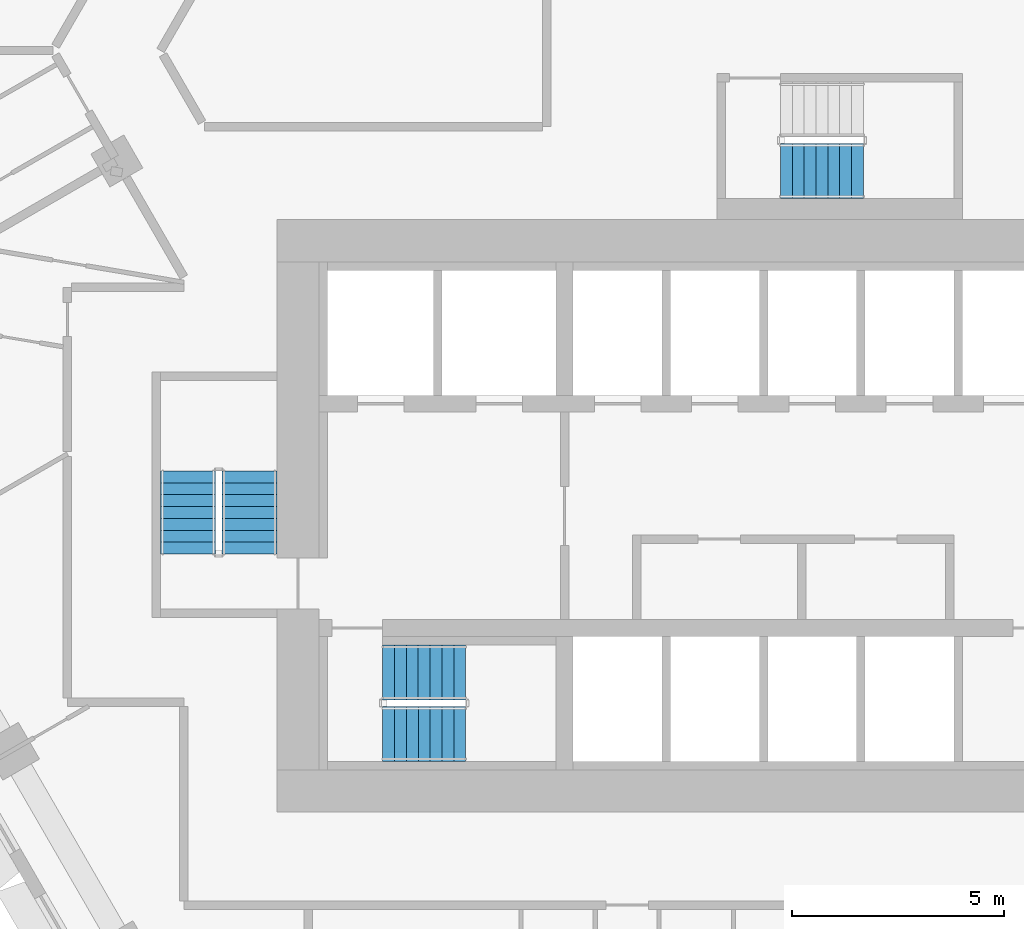
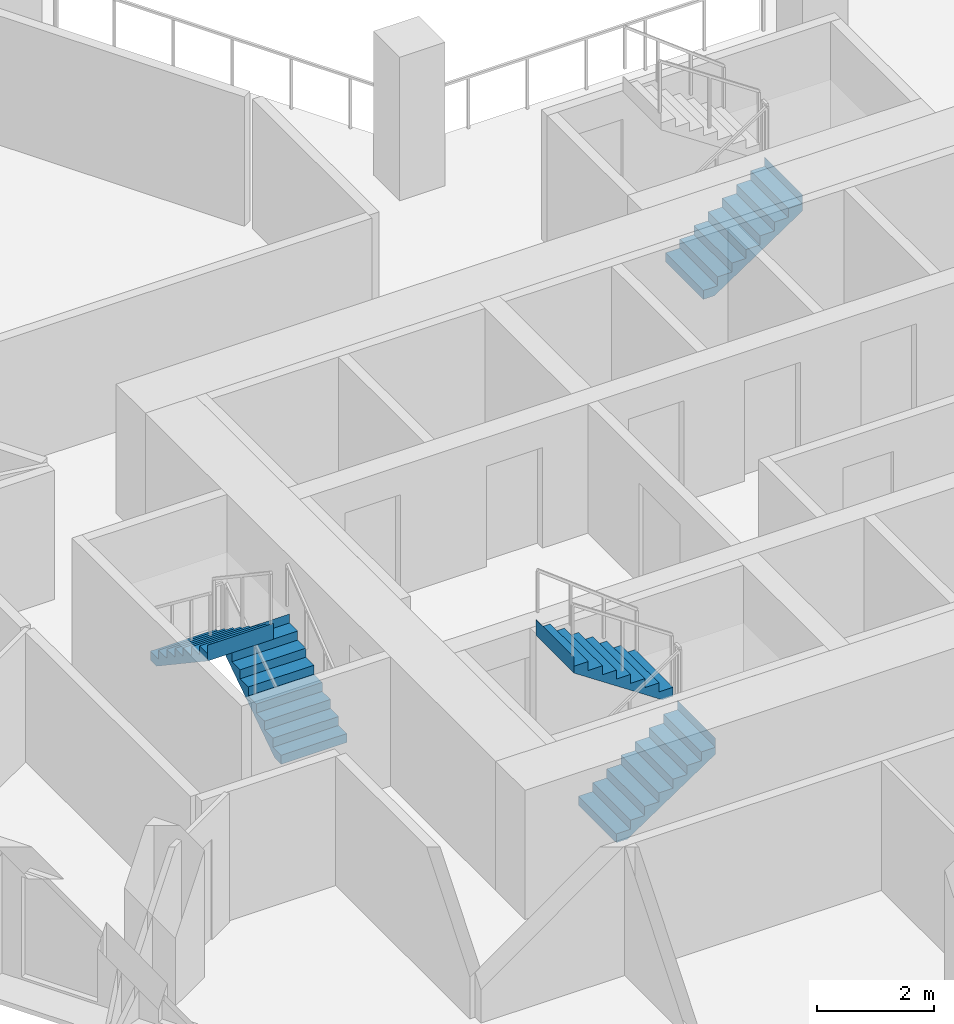
# One storey, part 13 of 18: 5 stair flights, 3 elements without a shape of their own.
"""IFC4 building model written with IfcOpenShell, lengths in metres."""

from ifc_helpers import new_model, si_unit, direction, frame, origin, place, context, subcontext, project, spatial, triangles, material, type_object, element, aggregate, save


model = new_model("IFC4")

# Units and contexts
model_context = context("Model", 3, precision=1e-05, world=origin(), true_north=direction((0.0, 1.0)))
body_context = subcontext(model_context, "Body", "Model", "MODEL_VIEW")
ifc_project = project(units=[si_unit("LENGTHUNIT", "METRE"), si_unit("AREAUNIT", "SQUARE_METRE"), si_unit("VOLUMEUNIT", "CUBIC_METRE"), si_unit("PLANEANGLEUNIT", "RADIAN"), si_unit("MASSUNIT", "GRAM", prefix="KILO")], contexts=[model_context])

# Site, building, storey
site_placement = place(None, origin())
site = spatial("IfcSite", under=ifc_project, at=site_placement, CompositionType="ELEMENT")
building_placement = place(site_placement, origin())
building = spatial("IfcBuilding", under=site, at=building_placement, Name="Beryl Residences", CompositionType="ELEMENT")
storey_placement = place(building_placement, frame((0.0, 0.0, 99.0)))
storey = spatial("IfcBuildingStorey", under=building, at=storey_placement, Name="L30", CompositionType="ELEMENT", Elevation=99.0)

# Stair, stair flights
ifc_material_1 = material(Name="Concrete C40/50", Category="concrete")
stair_type = type_object("IfcStairType", Name="ST1 protected exit stair, half-turn, 1300 mm flights", PredefinedType="HALF_TURN_STAIR", material=ifc_material_1)
stair_1_placement = place(storey_placement, origin())
stair_1 = element("IfcStair", 1, at=stair_1_placement, inside=storey, type_object=stair_type, Name="L30 PROTECTED EXIT STAIR ST-1", PredefinedType="HALF_TURN_STAIR")
ifc_material_2 = material(Name="Concrete C40/50", Category="concrete")
stair_flight_type = type_object("IfcStairFlightType", Name="SF1 stair flight 1300 mm", PredefinedType="STRAIGHT", material=ifc_material_2)
stair_flight_1_placement = place(storey_placement, frame((-10.800048828125, -17.14990234375, 0.0), z_axis=(0.0, 0.0, 1.0), x_axis=(1.0, 0.0, 0.0)))
stair_flight_1 = element("IfcStairFlight", 2, at=stair_flight_1_placement, type_object=stair_flight_type, Name="ST-1 flight 1", NumberOfRisers=8, NumberOfTreads=7, PredefinedType="STRAIGHT", RiserHeight=0.1875, TreadLength=0.28, context=body_context, shape_type="Tessellation", body=[
    triangles([(0.0, -0.64990234375, 0.0), (0.0, -0.324951171875, 0.0), (0.0, 0.0, 0.0), (0.0, 0.324951171875, 0.0), (0.0, 0.64990234375, 0.0), (0.0, -0.64990234375, 0.1875), (0.0, -0.324951171875, 0.1875), (0.0, 0.0, 0.1875), (0.0, 0.324951171875, 0.1875), (0.0, 0.64990234375, 0.1875), (0.280029296875, -0.64990234375, 0.1875), (0.280029296875, -0.324951171875, 0.1875), (0.280029296875, 0.0, 0.1875), (0.280029296875, 0.324951171875, 0.1875), (0.280029296875, 0.64990234375, 0.1875), (0.280029296875, -0.64990234375, 0.375), (0.280029296875, -0.324951171875, 0.375), (0.280029296875, 0.0, 0.375), (0.280029296875, 0.324951171875, 0.375), (0.280029296875, 0.64990234375, 0.375), (0.56005859375, -0.64990234375, 0.375), (0.56005859375, -0.324951171875, 0.375), (0.56005859375, 0.0, 0.375), (0.56005859375, 0.324951171875, 0.375), (0.56005859375, 0.64990234375, 0.375), (0.56005859375, -0.64990234375, 0.5625), (0.56005859375, -0.324951171875, 0.5625), (0.56005859375, 0.0, 0.5625), (0.56005859375, 0.324951171875, 0.5625), (0.56005859375, 0.64990234375, 0.5625), (0.840087890625, -0.64990234375, 0.5625), (0.840087890625, -0.324951171875, 0.5625), (0.840087890625, 0.0, 0.5625), (0.840087890625, 0.324951171875, 0.5625), (0.840087890625, 0.64990234375, 0.5625), (0.840087890625, -0.64990234375, 0.75), (0.840087890625, -0.324951171875, 0.75), (0.840087890625, 0.0, 0.75), (0.840087890625, 0.324951171875, 0.75), (0.840087890625, 0.64990234375, 0.75), (1.1201171875, -0.64990234375, 0.75), (1.1201171875, -0.324951171875, 0.75), (1.1201171875, 0.0, 0.75), (1.1201171875, 0.324951171875, 0.75), (1.1201171875, 0.64990234375, 0.75), (1.1201171875, -0.64990234375, 0.9375), (1.1201171875, -0.324951171875, 0.9375), (1.1201171875, 0.0, 0.9375), (1.1201171875, 0.324951171875, 0.9375), (1.1201171875, 0.64990234375, 0.9375), (1.39990234375, -0.64990234375, 0.9375), (1.39990234375, -0.324951171875, 0.9375), (1.39990234375, 0.0, 0.9375), (1.39990234375, 0.324951171875, 0.9375), (1.39990234375, 0.64990234375, 0.9375), (1.39990234375, -0.64990234375, 1.125), (1.39990234375, -0.324951171875, 1.125), (1.39990234375, 0.0, 1.125), (1.39990234375, 0.324951171875, 1.125), (1.39990234375, 0.64990234375, 1.125), (1.679931640625, -0.64990234375, 1.125), (1.679931640625, -0.324951171875, 1.125), (1.679931640625, 0.0, 1.125), (1.679931640625, 0.324951171875, 1.125), (1.679931640625, 0.64990234375, 1.125), (1.679931640625, -0.64990234375, 1.3125), (1.679931640625, -0.324951171875, 1.3125), (1.679931640625, 0.0, 1.3125), (1.679931640625, 0.324951171875, 1.3125), (1.679931640625, 0.64990234375, 1.3125), (1.9599609375, -0.64990234375, 1.3125), (1.9599609375, -0.324951171875, 1.3125), (1.9599609375, 0.0, 1.3125), (1.9599609375, 0.324951171875, 1.3125), (1.9599609375, 0.64990234375, 1.3125), (1.9599609375, -0.64990234375, 1.5), (1.9599609375, -0.324951171875, 1.5), (1.9599609375, 0.0, 1.5), (1.9599609375, 0.324951171875, 1.5), (1.9599609375, 0.64990234375, 1.5), (1.9609375, -0.64990234375, 1.5), (1.9609375, -0.324951171875, 1.5), (1.9609375, 0.0, 1.5), (1.9609375, 0.324951171875, 1.5), (1.9609375, 0.64990234375, 1.5), (1.9609375, -0.64990234375, 1.16796875), (1.9609375, -0.324951171875, 1.16796875), (1.9609375, 0.0, 1.16796875), (1.9609375, 0.324951171875, 1.16796875), (1.9609375, 0.64990234375, 1.16796875), (0.216796875, -0.64990234375, 0.0), (0.216796875, -0.324951171875, 0.0), (0.216796875, 0.0, 0.0), (0.216796875, 0.324951171875, 0.0), (0.216796875, 0.64990234375, 0.0)], [[1, 6, 7], [1, 7, 2], [2, 7, 8], [2, 8, 3], [3, 8, 9], [3, 9, 4], [4, 9, 10], [4, 10, 5], [6, 11, 12], [6, 12, 7], [7, 12, 13], [7, 13, 8], [8, 13, 14], [8, 14, 9], [9, 14, 15], [9, 15, 10], [11, 16, 17], [11, 17, 12], [12, 17, 18], [12, 18, 13], [13, 18, 19], [13, 19, 14], [14, 19, 20], [14, 20, 15], [16, 21, 22], [16, 22, 17], [17, 22, 23], [17, 23, 18], [18, 23, 24], [18, 24, 19], [19, 24, 25], [19, 25, 20], [21, 26, 27], [21, 27, 22], [22, 27, 28], [22, 28, 23], [23, 28, 29], [23, 29, 24], [24, 29, 30], [24, 30, 25], [26, 31, 32], [26, 32, 27], [27, 32, 33], [27, 33, 28], [28, 33, 34], [28, 34, 29], [29, 34, 35], [29, 35, 30], [31, 36, 37], [31, 37, 32], [32, 37, 38], [32, 38, 33], [33, 38, 39], [33, 39, 34], [34, 39, 40], [34, 40, 35], [36, 41, 42], [36, 42, 37], [37, 42, 43], [37, 43, 38], [38, 43, 44], [38, 44, 39], [39, 44, 45], [39, 45, 40], [41, 46, 47], [41, 47, 42], [42, 47, 48], [42, 48, 43], [43, 48, 49], [43, 49, 44], [44, 49, 50], [44, 50, 45], [46, 51, 52], [46, 52, 47], [47, 52, 53], [47, 53, 48], [48, 53, 54], [48, 54, 49], [49, 54, 55], [49, 55, 50], [51, 56, 57], [51, 57, 52], [52, 57, 58], [52, 58, 53], [53, 58, 59], [53, 59, 54], [54, 59, 60], [54, 60, 55], [56, 61, 62], [56, 62, 57], [57, 62, 63], [57, 63, 58], [58, 63, 64], [58, 64, 59], [59, 64, 65], [59, 65, 60], [61, 66, 67], [61, 67, 62], [62, 67, 68], [62, 68, 63], [63, 68, 69], [63, 69, 64], [64, 69, 70], [64, 70, 65], [66, 71, 72], [66, 72, 67], [67, 72, 73], [67, 73, 68], [68, 73, 74], [68, 74, 69], [69, 74, 75], [69, 75, 70], [71, 76, 77], [71, 77, 72], [72, 77, 78], [72, 78, 73], [73, 78, 79], [73, 79, 74], [74, 79, 80], [74, 80, 75], [76, 81, 82], [76, 82, 77], [77, 82, 83], [77, 83, 78], [78, 83, 84], [78, 84, 79], [79, 84, 85], [79, 85, 80], [81, 86, 87], [81, 87, 82], [82, 87, 88], [82, 88, 83], [83, 88, 89], [83, 89, 84], [84, 89, 90], [84, 90, 85], [86, 91, 92], [86, 92, 87], [87, 92, 93], [87, 93, 88], [88, 93, 94], [88, 94, 89], [89, 94, 95], [89, 95, 90], [91, 1, 2], [91, 2, 92], [92, 2, 3], [92, 3, 93], [93, 3, 4], [93, 4, 94], [94, 4, 5], [94, 5, 95], [1, 91, 86], [5, 90, 95], [86, 81, 76], [90, 80, 85], [86, 76, 71], [90, 75, 80], [86, 71, 66], [90, 70, 75], [86, 66, 61], [90, 65, 70], [61, 56, 51], [65, 55, 60], [86, 61, 51], [90, 55, 65], [51, 46, 41], [55, 45, 50], [86, 51, 41], [90, 45, 55], [41, 36, 31], [45, 35, 40], [86, 41, 31], [90, 35, 45], [31, 26, 21], [35, 25, 30], [86, 31, 21], [90, 25, 35], [21, 16, 11], [25, 15, 20], [86, 21, 11], [90, 15, 25], [1, 86, 11], [5, 15, 90], [11, 6, 1], [15, 5, 10]], closed=True),
])
stair_flight_2_placement = place(storey_placement, frame((-8.840087890625, -15.699951171875, 1.5), z_axis=(0.0, 0.0, 1.0), x_axis=(-1.0, 0.0, 0.0)))
stair_flight_2 = element("IfcStairFlight", 3, at=stair_flight_2_placement, type_object=stair_flight_type, Name="ST-1 flight 2", NumberOfRisers=8, NumberOfTreads=7, PredefinedType="STRAIGHT", RiserHeight=0.1875, TreadLength=0.28, context=body_context, shape_type="Tessellation", body=[
    triangles([(0.0, -0.64990234375, 0.0), (0.0, -0.324951171875, 0.0), (0.0, 0.0, 0.0), (0.0, 0.324951171875, 0.0), (0.0, 0.64990234375, 0.0), (0.0, -0.64990234375, 0.1875), (0.0, -0.324951171875, 0.1875), (0.0, 0.0, 0.1875), (0.0, 0.324951171875, 0.1875), (0.0, 0.64990234375, 0.1875), (0.280029296875, -0.64990234375, 0.1875), (0.280029296875, -0.324951171875, 0.1875), (0.280029296875, 0.0, 0.1875), (0.280029296875, 0.324951171875, 0.1875), (0.280029296875, 0.64990234375, 0.1875), (0.280029296875, -0.64990234375, 0.375), (0.280029296875, -0.324951171875, 0.375), (0.280029296875, 0.0, 0.375), (0.280029296875, 0.324951171875, 0.375), (0.280029296875, 0.64990234375, 0.375), (0.56005859375, -0.64990234375, 0.375), (0.56005859375, -0.324951171875, 0.375), (0.56005859375, 0.0, 0.375), (0.56005859375, 0.324951171875, 0.375), (0.56005859375, 0.64990234375, 0.375), (0.56005859375, -0.64990234375, 0.5625), (0.56005859375, -0.324951171875, 0.5625), (0.56005859375, 0.0, 0.5625), (0.56005859375, 0.324951171875, 0.5625), (0.56005859375, 0.64990234375, 0.5625), (0.840087890625, -0.64990234375, 0.5625), (0.840087890625, -0.324951171875, 0.5625), (0.840087890625, 0.0, 0.5625), (0.840087890625, 0.324951171875, 0.5625), (0.840087890625, 0.64990234375, 0.5625), (0.840087890625, -0.64990234375, 0.75), (0.840087890625, -0.324951171875, 0.75), (0.840087890625, 0.0, 0.75), (0.840087890625, 0.324951171875, 0.75), (0.840087890625, 0.64990234375, 0.75), (1.1201171875, -0.64990234375, 0.75), (1.1201171875, -0.324951171875, 0.75), (1.1201171875, 0.0, 0.75), (1.1201171875, 0.324951171875, 0.75), (1.1201171875, 0.64990234375, 0.75), (1.1201171875, -0.64990234375, 0.9375), (1.1201171875, -0.324951171875, 0.9375), (1.1201171875, 0.0, 0.9375), (1.1201171875, 0.324951171875, 0.9375), (1.1201171875, 0.64990234375, 0.9375), (1.39990234375, -0.64990234375, 0.9375), (1.39990234375, -0.324951171875, 0.9375), (1.39990234375, 0.0, 0.9375), (1.39990234375, 0.324951171875, 0.9375), (1.39990234375, 0.64990234375, 0.9375), (1.39990234375, -0.64990234375, 1.125), (1.39990234375, -0.324951171875, 1.125), (1.39990234375, 0.0, 1.125), (1.39990234375, 0.324951171875, 1.125), (1.39990234375, 0.64990234375, 1.125), (1.679931640625, -0.64990234375, 1.125), (1.679931640625, -0.324951171875, 1.125), (1.679931640625, 0.0, 1.125), (1.679931640625, 0.324951171875, 1.125), (1.679931640625, 0.64990234375, 1.125), (1.679931640625, -0.64990234375, 1.3125), (1.679931640625, -0.324951171875, 1.3125), (1.679931640625, 0.0, 1.3125), (1.679931640625, 0.324951171875, 1.3125), (1.679931640625, 0.64990234375, 1.3125), (1.9599609375, -0.64990234375, 1.3125), (1.9599609375, -0.324951171875, 1.3125), (1.9599609375, 0.0, 1.3125), (1.9599609375, 0.324951171875, 1.3125), (1.9599609375, 0.64990234375, 1.3125), (1.9599609375, -0.64990234375, 1.5), (1.9599609375, -0.324951171875, 1.5), (1.9599609375, 0.0, 1.5), (1.9599609375, 0.324951171875, 1.5), (1.9599609375, 0.64990234375, 1.5), (1.9609375, -0.64990234375, 1.5), (1.9609375, -0.324951171875, 1.5), (1.9609375, 0.0, 1.5), (1.9609375, 0.324951171875, 1.5), (1.9609375, 0.64990234375, 1.5), (1.9609375, -0.64990234375, 1.16796875), (1.9609375, -0.324951171875, 1.16796875), (1.9609375, 0.0, 1.16796875), (1.9609375, 0.324951171875, 1.16796875), (1.9609375, 0.64990234375, 1.16796875), (0.216796875, -0.64990234375, 0.0), (0.216796875, -0.324951171875, 0.0), (0.216796875, 0.0, 0.0), (0.216796875, 0.324951171875, 0.0), (0.216796875, 0.64990234375, 0.0)], [[1, 6, 7], [1, 7, 2], [2, 7, 8], [2, 8, 3], [3, 8, 9], [3, 9, 4], [4, 9, 10], [4, 10, 5], [6, 11, 12], [6, 12, 7], [7, 12, 13], [7, 13, 8], [8, 13, 14], [8, 14, 9], [9, 14, 15], [9, 15, 10], [11, 16, 17], [11, 17, 12], [12, 17, 18], [12, 18, 13], [13, 18, 19], [13, 19, 14], [14, 19, 20], [14, 20, 15], [16, 21, 22], [16, 22, 17], [17, 22, 23], [17, 23, 18], [18, 23, 24], [18, 24, 19], [19, 24, 25], [19, 25, 20], [21, 26, 27], [21, 27, 22], [22, 27, 28], [22, 28, 23], [23, 28, 29], [23, 29, 24], [24, 29, 30], [24, 30, 25], [26, 31, 32], [26, 32, 27], [27, 32, 33], [27, 33, 28], [28, 33, 34], [28, 34, 29], [29, 34, 35], [29, 35, 30], [31, 36, 37], [31, 37, 32], [32, 37, 38], [32, 38, 33], [33, 38, 39], [33, 39, 34], [34, 39, 40], [34, 40, 35], [36, 41, 42], [36, 42, 37], [37, 42, 43], [37, 43, 38], [38, 43, 44], [38, 44, 39], [39, 44, 45], [39, 45, 40], [41, 46, 47], [41, 47, 42], [42, 47, 48], [42, 48, 43], [43, 48, 49], [43, 49, 44], [44, 49, 50], [44, 50, 45], [46, 51, 52], [46, 52, 47], [47, 52, 53], [47, 53, 48], [48, 53, 54], [48, 54, 49], [49, 54, 55], [49, 55, 50], [51, 56, 57], [51, 57, 52], [52, 57, 58], [52, 58, 53], [53, 58, 59], [53, 59, 54], [54, 59, 60], [54, 60, 55], [56, 61, 62], [56, 62, 57], [57, 62, 63], [57, 63, 58], [58, 63, 64], [58, 64, 59], [59, 64, 65], [59, 65, 60], [61, 66, 67], [61, 67, 62], [62, 67, 68], [62, 68, 63], [63, 68, 69], [63, 69, 64], [64, 69, 70], [64, 70, 65], [66, 71, 72], [66, 72, 67], [67, 72, 73], [67, 73, 68], [68, 73, 74], [68, 74, 69], [69, 74, 75], [69, 75, 70], [71, 76, 77], [71, 77, 72], [72, 77, 78], [72, 78, 73], [73, 78, 79], [73, 79, 74], [74, 79, 80], [74, 80, 75], [76, 81, 82], [76, 82, 77], [77, 82, 83], [77, 83, 78], [78, 83, 84], [78, 84, 79], [79, 84, 85], [79, 85, 80], [81, 86, 87], [81, 87, 82], [82, 87, 88], [82, 88, 83], [83, 88, 89], [83, 89, 84], [84, 89, 90], [84, 90, 85], [86, 91, 92], [86, 92, 87], [87, 92, 93], [87, 93, 88], [88, 93, 94], [88, 94, 89], [89, 94, 95], [89, 95, 90], [91, 1, 2], [91, 2, 92], [92, 2, 3], [92, 3, 93], [93, 3, 4], [93, 4, 94], [94, 4, 5], [94, 5, 95], [1, 91, 86], [5, 90, 95], [86, 81, 76], [90, 80, 85], [86, 76, 71], [90, 75, 80], [86, 71, 66], [90, 70, 75], [86, 66, 61], [90, 65, 70], [61, 56, 51], [65, 55, 60], [86, 61, 51], [90, 55, 65], [51, 46, 41], [55, 45, 50], [86, 51, 41], [90, 45, 55], [41, 36, 31], [45, 35, 40], [86, 41, 31], [90, 35, 45], [31, 26, 21], [35, 25, 30], [86, 31, 21], [90, 25, 35], [21, 16, 11], [25, 15, 20], [86, 21, 11], [90, 15, 25], [1, 86, 11], [5, 15, 90], [11, 6, 1], [15, 5, 10]], closed=True),
])
aggregate(stair_1, [stair_flight_1, stair_flight_2])

stair_2_placement = place(storey_placement, origin())
stair_2 = element("IfcStair", 4, at=stair_2_placement, inside=storey, type_object=stair_type, Name="L30 PROTECTED EXIT STAIR ST-2", PredefinedType="HALF_TURN_STAIR")
stair_flight_3_placement = place(storey_placement, frame((-13.949951171875, -12.89990234375, 0.0), z_axis=(0.0, 0.0, 1.0), x_axis=(0.0, 1.0, 0.0)))
stair_flight_3 = element("IfcStairFlight", 5, at=stair_flight_3_placement, type_object=stair_flight_type, Name="ST-2 flight 1", NumberOfRisers=8, NumberOfTreads=7, PredefinedType="STRAIGHT", RiserHeight=0.1875, TreadLength=0.28, context=body_context, shape_type="Tessellation", body=[
    triangles([(0.0, -0.64990234375, 0.0), (0.0, -0.324951171875, 0.0), (0.0, 0.0, 0.0), (0.0, 0.324951171875, 0.0), (0.0, 0.64990234375, 0.0), (0.0, -0.64990234375, 0.1875), (0.0, -0.324951171875, 0.1875), (0.0, 0.0, 0.1875), (0.0, 0.324951171875, 0.1875), (0.0, 0.64990234375, 0.1875), (0.280029296875, -0.64990234375, 0.1875), (0.280029296875, -0.324951171875, 0.1875), (0.280029296875, 0.0, 0.1875), (0.280029296875, 0.324951171875, 0.1875), (0.280029296875, 0.64990234375, 0.1875), (0.280029296875, -0.64990234375, 0.375), (0.280029296875, -0.324951171875, 0.375), (0.280029296875, 0.0, 0.375), (0.280029296875, 0.324951171875, 0.375), (0.280029296875, 0.64990234375, 0.375), (0.56005859375, -0.64990234375, 0.375), (0.56005859375, -0.324951171875, 0.375), (0.56005859375, 0.0, 0.375), (0.56005859375, 0.324951171875, 0.375), (0.56005859375, 0.64990234375, 0.375), (0.56005859375, -0.64990234375, 0.5625), (0.56005859375, -0.324951171875, 0.5625), (0.56005859375, 0.0, 0.5625), (0.56005859375, 0.324951171875, 0.5625), (0.56005859375, 0.64990234375, 0.5625), (0.840087890625, -0.64990234375, 0.5625), (0.840087890625, -0.324951171875, 0.5625), (0.840087890625, 0.0, 0.5625), (0.840087890625, 0.324951171875, 0.5625), (0.840087890625, 0.64990234375, 0.5625), (0.840087890625, -0.64990234375, 0.75), (0.840087890625, -0.324951171875, 0.75), (0.840087890625, 0.0, 0.75), (0.840087890625, 0.324951171875, 0.75), (0.840087890625, 0.64990234375, 0.75), (1.1201171875, -0.64990234375, 0.75), (1.1201171875, -0.324951171875, 0.75), (1.1201171875, 0.0, 0.75), (1.1201171875, 0.324951171875, 0.75), (1.1201171875, 0.64990234375, 0.75), (1.1201171875, -0.64990234375, 0.9375), (1.1201171875, -0.324951171875, 0.9375), (1.1201171875, 0.0, 0.9375), (1.1201171875, 0.324951171875, 0.9375), (1.1201171875, 0.64990234375, 0.9375), (1.39990234375, -0.64990234375, 0.9375), (1.39990234375, -0.324951171875, 0.9375), (1.39990234375, 0.0, 0.9375), (1.39990234375, 0.324951171875, 0.9375), (1.39990234375, 0.64990234375, 0.9375), (1.39990234375, -0.64990234375, 1.125), (1.39990234375, -0.324951171875, 1.125), (1.39990234375, 0.0, 1.125), (1.39990234375, 0.324951171875, 1.125), (1.39990234375, 0.64990234375, 1.125), (1.679931640625, -0.64990234375, 1.125), (1.679931640625, -0.324951171875, 1.125), (1.679931640625, 0.0, 1.125), (1.679931640625, 0.324951171875, 1.125), (1.679931640625, 0.64990234375, 1.125), (1.679931640625, -0.64990234375, 1.3125), (1.679931640625, -0.324951171875, 1.3125), (1.679931640625, 0.0, 1.3125), (1.679931640625, 0.324951171875, 1.3125), (1.679931640625, 0.64990234375, 1.3125), (1.9599609375, -0.64990234375, 1.3125), (1.9599609375, -0.324951171875, 1.3125), (1.9599609375, 0.0, 1.3125), (1.9599609375, 0.324951171875, 1.3125), (1.9599609375, 0.64990234375, 1.3125), (1.9599609375, -0.64990234375, 1.5), (1.9599609375, -0.324951171875, 1.5), (1.9599609375, 0.0, 1.5), (1.9599609375, 0.324951171875, 1.5), (1.9599609375, 0.64990234375, 1.5), (1.9609375, -0.64990234375, 1.5), (1.9609375, -0.324951171875, 1.5), (1.9609375, 0.0, 1.5), (1.9609375, 0.324951171875, 1.5), (1.9609375, 0.64990234375, 1.5), (1.9609375, -0.64990234375, 1.16796875), (1.9609375, -0.324951171875, 1.16796875), (1.9609375, 0.0, 1.16796875), (1.9609375, 0.324951171875, 1.16796875), (1.9609375, 0.64990234375, 1.16796875), (0.216796875, -0.64990234375, 0.0), (0.216796875, -0.324951171875, 0.0), (0.216796875, 0.0, 0.0), (0.216796875, 0.324951171875, 0.0), (0.216796875, 0.64990234375, 0.0)], [[1, 6, 7], [1, 7, 2], [2, 7, 8], [2, 8, 3], [3, 8, 9], [3, 9, 4], [4, 9, 10], [4, 10, 5], [6, 11, 12], [6, 12, 7], [7, 12, 13], [7, 13, 8], [8, 13, 14], [8, 14, 9], [9, 14, 15], [9, 15, 10], [11, 16, 17], [11, 17, 12], [12, 17, 18], [12, 18, 13], [13, 18, 19], [13, 19, 14], [14, 19, 20], [14, 20, 15], [16, 21, 22], [16, 22, 17], [17, 22, 23], [17, 23, 18], [18, 23, 24], [18, 24, 19], [19, 24, 25], [19, 25, 20], [21, 26, 27], [21, 27, 22], [22, 27, 28], [22, 28, 23], [23, 28, 29], [23, 29, 24], [24, 29, 30], [24, 30, 25], [26, 31, 32], [26, 32, 27], [27, 32, 33], [27, 33, 28], [28, 33, 34], [28, 34, 29], [29, 34, 35], [29, 35, 30], [31, 36, 37], [31, 37, 32], [32, 37, 38], [32, 38, 33], [33, 38, 39], [33, 39, 34], [34, 39, 40], [34, 40, 35], [36, 41, 42], [36, 42, 37], [37, 42, 43], [37, 43, 38], [38, 43, 44], [38, 44, 39], [39, 44, 45], [39, 45, 40], [41, 46, 47], [41, 47, 42], [42, 47, 48], [42, 48, 43], [43, 48, 49], [43, 49, 44], [44, 49, 50], [44, 50, 45], [46, 51, 52], [46, 52, 47], [47, 52, 53], [47, 53, 48], [48, 53, 54], [48, 54, 49], [49, 54, 55], [49, 55, 50], [51, 56, 57], [51, 57, 52], [52, 57, 58], [52, 58, 53], [53, 58, 59], [53, 59, 54], [54, 59, 60], [54, 60, 55], [56, 61, 62], [56, 62, 57], [57, 62, 63], [57, 63, 58], [58, 63, 64], [58, 64, 59], [59, 64, 65], [59, 65, 60], [61, 66, 67], [61, 67, 62], [62, 67, 68], [62, 68, 63], [63, 68, 69], [63, 69, 64], [64, 69, 70], [64, 70, 65], [66, 71, 72], [66, 72, 67], [67, 72, 73], [67, 73, 68], [68, 73, 74], [68, 74, 69], [69, 74, 75], [69, 75, 70], [71, 76, 77], [71, 77, 72], [72, 77, 78], [72, 78, 73], [73, 78, 79], [73, 79, 74], [74, 79, 80], [74, 80, 75], [76, 81, 82], [76, 82, 77], [77, 82, 83], [77, 83, 78], [78, 83, 84], [78, 84, 79], [79, 84, 85], [79, 85, 80], [81, 86, 87], [81, 87, 82], [82, 87, 88], [82, 88, 83], [83, 88, 89], [83, 89, 84], [84, 89, 90], [84, 90, 85], [86, 91, 92], [86, 92, 87], [87, 92, 93], [87, 93, 88], [88, 93, 94], [88, 94, 89], [89, 94, 95], [89, 95, 90], [91, 1, 2], [91, 2, 92], [92, 2, 3], [92, 3, 93], [93, 3, 4], [93, 4, 94], [94, 4, 5], [94, 5, 95], [1, 91, 86], [5, 90, 95], [86, 81, 76], [90, 80, 85], [86, 76, 71], [90, 75, 80], [86, 71, 66], [90, 70, 75], [86, 66, 61], [90, 65, 70], [61, 56, 51], [65, 55, 60], [86, 61, 51], [90, 55, 65], [51, 46, 41], [55, 45, 50], [86, 51, 41], [90, 45, 55], [41, 36, 31], [45, 35, 40], [86, 41, 31], [90, 35, 45], [31, 26, 21], [35, 25, 30], [86, 31, 21], [90, 25, 35], [21, 16, 11], [25, 15, 20], [86, 21, 11], [90, 15, 25], [1, 86, 11], [5, 15, 90], [11, 6, 1], [15, 5, 10]], closed=True),
])
stair_flight_4_placement = place(storey_placement, frame((-15.39990234375, -10.93994140625, 1.5), z_axis=(0.0, 0.0, 1.0), x_axis=(0.0, -1.0, 0.0)))
stair_flight_4 = element("IfcStairFlight", 6, at=stair_flight_4_placement, type_object=stair_flight_type, Name="ST-2 flight 2", NumberOfRisers=8, NumberOfTreads=7, PredefinedType="STRAIGHT", RiserHeight=0.1875, TreadLength=0.28, context=body_context, shape_type="Tessellation", body=[
    triangles([(0.0, -0.64990234375, 0.0), (0.0, -0.324951171875, 0.0), (0.0, 0.0, 0.0), (0.0, 0.324951171875, 0.0), (0.0, 0.64990234375, 0.0), (0.0, -0.64990234375, 0.1875), (0.0, -0.324951171875, 0.1875), (0.0, 0.0, 0.1875), (0.0, 0.324951171875, 0.1875), (0.0, 0.64990234375, 0.1875), (0.280029296875, -0.64990234375, 0.1875), (0.280029296875, -0.324951171875, 0.1875), (0.280029296875, 0.0, 0.1875), (0.280029296875, 0.324951171875, 0.1875), (0.280029296875, 0.64990234375, 0.1875), (0.280029296875, -0.64990234375, 0.375), (0.280029296875, -0.324951171875, 0.375), (0.280029296875, 0.0, 0.375), (0.280029296875, 0.324951171875, 0.375), (0.280029296875, 0.64990234375, 0.375), (0.56005859375, -0.64990234375, 0.375), (0.56005859375, -0.324951171875, 0.375), (0.56005859375, 0.0, 0.375), (0.56005859375, 0.324951171875, 0.375), (0.56005859375, 0.64990234375, 0.375), (0.56005859375, -0.64990234375, 0.5625), (0.56005859375, -0.324951171875, 0.5625), (0.56005859375, 0.0, 0.5625), (0.56005859375, 0.324951171875, 0.5625), (0.56005859375, 0.64990234375, 0.5625), (0.840087890625, -0.64990234375, 0.5625), (0.840087890625, -0.324951171875, 0.5625), (0.840087890625, 0.0, 0.5625), (0.840087890625, 0.324951171875, 0.5625), (0.840087890625, 0.64990234375, 0.5625), (0.840087890625, -0.64990234375, 0.75), (0.840087890625, -0.324951171875, 0.75), (0.840087890625, 0.0, 0.75), (0.840087890625, 0.324951171875, 0.75), (0.840087890625, 0.64990234375, 0.75), (1.1201171875, -0.64990234375, 0.75), (1.1201171875, -0.324951171875, 0.75), (1.1201171875, 0.0, 0.75), (1.1201171875, 0.324951171875, 0.75), (1.1201171875, 0.64990234375, 0.75), (1.1201171875, -0.64990234375, 0.9375), (1.1201171875, -0.324951171875, 0.9375), (1.1201171875, 0.0, 0.9375), (1.1201171875, 0.324951171875, 0.9375), (1.1201171875, 0.64990234375, 0.9375), (1.39990234375, -0.64990234375, 0.9375), (1.39990234375, -0.324951171875, 0.9375), (1.39990234375, 0.0, 0.9375), (1.39990234375, 0.324951171875, 0.9375), (1.39990234375, 0.64990234375, 0.9375), (1.39990234375, -0.64990234375, 1.125), (1.39990234375, -0.324951171875, 1.125), (1.39990234375, 0.0, 1.125), (1.39990234375, 0.324951171875, 1.125), (1.39990234375, 0.64990234375, 1.125), (1.679931640625, -0.64990234375, 1.125), (1.679931640625, -0.324951171875, 1.125), (1.679931640625, 0.0, 1.125), (1.679931640625, 0.324951171875, 1.125), (1.679931640625, 0.64990234375, 1.125), (1.679931640625, -0.64990234375, 1.3125), (1.679931640625, -0.324951171875, 1.3125), (1.679931640625, 0.0, 1.3125), (1.679931640625, 0.324951171875, 1.3125), (1.679931640625, 0.64990234375, 1.3125), (1.9599609375, -0.64990234375, 1.3125), (1.9599609375, -0.324951171875, 1.3125), (1.9599609375, 0.0, 1.3125), (1.9599609375, 0.324951171875, 1.3125), (1.9599609375, 0.64990234375, 1.3125), (1.9599609375, -0.64990234375, 1.5), (1.9599609375, -0.324951171875, 1.5), (1.9599609375, 0.0, 1.5), (1.9599609375, 0.324951171875, 1.5), (1.9599609375, 0.64990234375, 1.5), (1.9609375, -0.64990234375, 1.5), (1.9609375, -0.324951171875, 1.5), (1.9609375, 0.0, 1.5), (1.9609375, 0.324951171875, 1.5), (1.9609375, 0.64990234375, 1.5), (1.9609375, -0.64990234375, 1.16796875), (1.9609375, -0.324951171875, 1.16796875), (1.9609375, 0.0, 1.16796875), (1.9609375, 0.324951171875, 1.16796875), (1.9609375, 0.64990234375, 1.16796875), (0.216796875, -0.64990234375, 0.0), (0.216796875, -0.324951171875, 0.0), (0.216796875, 0.0, 0.0), (0.216796875, 0.324951171875, 0.0), (0.216796875, 0.64990234375, 0.0)], [[1, 6, 7], [1, 7, 2], [2, 7, 8], [2, 8, 3], [3, 8, 9], [3, 9, 4], [4, 9, 10], [4, 10, 5], [6, 11, 12], [6, 12, 7], [7, 12, 13], [7, 13, 8], [8, 13, 14], [8, 14, 9], [9, 14, 15], [9, 15, 10], [11, 16, 17], [11, 17, 12], [12, 17, 18], [12, 18, 13], [13, 18, 19], [13, 19, 14], [14, 19, 20], [14, 20, 15], [16, 21, 22], [16, 22, 17], [17, 22, 23], [17, 23, 18], [18, 23, 24], [18, 24, 19], [19, 24, 25], [19, 25, 20], [21, 26, 27], [21, 27, 22], [22, 27, 28], [22, 28, 23], [23, 28, 29], [23, 29, 24], [24, 29, 30], [24, 30, 25], [26, 31, 32], [26, 32, 27], [27, 32, 33], [27, 33, 28], [28, 33, 34], [28, 34, 29], [29, 34, 35], [29, 35, 30], [31, 36, 37], [31, 37, 32], [32, 37, 38], [32, 38, 33], [33, 38, 39], [33, 39, 34], [34, 39, 40], [34, 40, 35], [36, 41, 42], [36, 42, 37], [37, 42, 43], [37, 43, 38], [38, 43, 44], [38, 44, 39], [39, 44, 45], [39, 45, 40], [41, 46, 47], [41, 47, 42], [42, 47, 48], [42, 48, 43], [43, 48, 49], [43, 49, 44], [44, 49, 50], [44, 50, 45], [46, 51, 52], [46, 52, 47], [47, 52, 53], [47, 53, 48], [48, 53, 54], [48, 54, 49], [49, 54, 55], [49, 55, 50], [51, 56, 57], [51, 57, 52], [52, 57, 58], [52, 58, 53], [53, 58, 59], [53, 59, 54], [54, 59, 60], [54, 60, 55], [56, 61, 62], [56, 62, 57], [57, 62, 63], [57, 63, 58], [58, 63, 64], [58, 64, 59], [59, 64, 65], [59, 65, 60], [61, 66, 67], [61, 67, 62], [62, 67, 68], [62, 68, 63], [63, 68, 69], [63, 69, 64], [64, 69, 70], [64, 70, 65], [66, 71, 72], [66, 72, 67], [67, 72, 73], [67, 73, 68], [68, 73, 74], [68, 74, 69], [69, 74, 75], [69, 75, 70], [71, 76, 77], [71, 77, 72], [72, 77, 78], [72, 78, 73], [73, 78, 79], [73, 79, 74], [74, 79, 80], [74, 80, 75], [76, 81, 82], [76, 82, 77], [77, 82, 83], [77, 83, 78], [78, 83, 84], [78, 84, 79], [79, 84, 85], [79, 85, 80], [81, 86, 87], [81, 87, 82], [82, 87, 88], [82, 88, 83], [83, 88, 89], [83, 89, 84], [84, 89, 90], [84, 90, 85], [86, 91, 92], [86, 92, 87], [87, 92, 93], [87, 93, 88], [88, 93, 94], [88, 94, 89], [89, 94, 95], [89, 95, 90], [91, 1, 2], [91, 2, 92], [92, 2, 3], [92, 3, 93], [93, 3, 4], [93, 4, 94], [94, 4, 5], [94, 5, 95], [1, 91, 86], [5, 90, 95], [86, 81, 76], [90, 80, 85], [86, 76, 71], [90, 75, 80], [86, 71, 66], [90, 70, 75], [86, 66, 61], [90, 65, 70], [61, 56, 51], [65, 55, 60], [86, 61, 51], [90, 55, 65], [51, 46, 41], [55, 45, 50], [86, 51, 41], [90, 45, 55], [41, 36, 31], [45, 35, 40], [86, 41, 31], [90, 35, 45], [31, 26, 21], [35, 25, 30], [86, 31, 21], [90, 25, 35], [21, 16, 11], [25, 15, 20], [86, 21, 11], [90, 15, 25], [1, 86, 11], [5, 15, 90], [11, 6, 1], [15, 5, 10]], closed=True),
])
aggregate(stair_2, [stair_flight_3, stair_flight_4])

# Stair, stair flight
stair_3_placement = place(storey_placement, origin())
stair_3 = element("IfcStair", 7, at=stair_3_placement, inside=storey, type_object=stair_type, Name="L30 PROTECTED EXIT STAIR ST-4", PredefinedType="HALF_TURN_STAIR")
stair_flight_5_placement = place(storey_placement, frame((-1.39990234375, -3.85009765625, 0.0), z_axis=(0.0, 0.0, 1.0), x_axis=(1.0, 0.0, 0.0)))
stair_flight_5 = element("IfcStairFlight", 8, at=stair_flight_5_placement, type_object=stair_flight_type, Name="ST-4 flight 1", NumberOfRisers=8, NumberOfTreads=7, PredefinedType="STRAIGHT", RiserHeight=0.1875, TreadLength=0.28, context=body_context, shape_type="Tessellation", body=[
    triangles([(0.0, -0.64990234375, 0.0), (0.0, -0.324951171875, 0.0), (0.0, 0.0, 0.0), (0.0, 0.324951171875, 0.0), (0.0, 0.64990234375, 0.0), (0.0, -0.64990234375, 0.1875), (0.0, -0.324951171875, 0.1875), (0.0, 0.0, 0.1875), (0.0, 0.324951171875, 0.1875), (0.0, 0.64990234375, 0.1875), (0.280029296875, -0.64990234375, 0.1875), (0.280029296875, -0.324951171875, 0.1875), (0.280029296875, 0.0, 0.1875), (0.280029296875, 0.324951171875, 0.1875), (0.280029296875, 0.64990234375, 0.1875), (0.280029296875, -0.64990234375, 0.375), (0.280029296875, -0.324951171875, 0.375), (0.280029296875, 0.0, 0.375), (0.280029296875, 0.324951171875, 0.375), (0.280029296875, 0.64990234375, 0.375), (0.56005859375, -0.64990234375, 0.375), (0.56005859375, -0.324951171875, 0.375), (0.56005859375, 0.0, 0.375), (0.56005859375, 0.324951171875, 0.375), (0.56005859375, 0.64990234375, 0.375), (0.56005859375, -0.64990234375, 0.5625), (0.56005859375, -0.324951171875, 0.5625), (0.56005859375, 0.0, 0.5625), (0.56005859375, 0.324951171875, 0.5625), (0.56005859375, 0.64990234375, 0.5625), (0.840087890625, -0.64990234375, 0.5625), (0.840087890625, -0.324951171875, 0.5625), (0.840087890625, 0.0, 0.5625), (0.840087890625, 0.324951171875, 0.5625), (0.840087890625, 0.64990234375, 0.5625), (0.840087890625, -0.64990234375, 0.75), (0.840087890625, -0.324951171875, 0.75), (0.840087890625, 0.0, 0.75), (0.840087890625, 0.324951171875, 0.75), (0.840087890625, 0.64990234375, 0.75), (1.1201171875, -0.64990234375, 0.75), (1.1201171875, -0.324951171875, 0.75), (1.1201171875, 0.0, 0.75), (1.1201171875, 0.324951171875, 0.75), (1.1201171875, 0.64990234375, 0.75), (1.1201171875, -0.64990234375, 0.9375), (1.1201171875, -0.324951171875, 0.9375), (1.1201171875, 0.0, 0.9375), (1.1201171875, 0.324951171875, 0.9375), (1.1201171875, 0.64990234375, 0.9375), (1.39990234375, -0.64990234375, 0.9375), (1.39990234375, -0.324951171875, 0.9375), (1.39990234375, 0.0, 0.9375), (1.39990234375, 0.324951171875, 0.9375), (1.39990234375, 0.64990234375, 0.9375), (1.39990234375, -0.64990234375, 1.125), (1.39990234375, -0.324951171875, 1.125), (1.39990234375, 0.0, 1.125), (1.39990234375, 0.324951171875, 1.125), (1.39990234375, 0.64990234375, 1.125), (1.679931640625, -0.64990234375, 1.125), (1.679931640625, -0.324951171875, 1.125), (1.679931640625, 0.0, 1.125), (1.679931640625, 0.324951171875, 1.125), (1.679931640625, 0.64990234375, 1.125), (1.679931640625, -0.64990234375, 1.3125), (1.679931640625, -0.324951171875, 1.3125), (1.679931640625, 0.0, 1.3125), (1.679931640625, 0.324951171875, 1.3125), (1.679931640625, 0.64990234375, 1.3125), (1.9599609375, -0.64990234375, 1.3125), (1.9599609375, -0.324951171875, 1.3125), (1.9599609375, 0.0, 1.3125), (1.9599609375, 0.324951171875, 1.3125), (1.9599609375, 0.64990234375, 1.3125), (1.9599609375, -0.64990234375, 1.5), (1.9599609375, -0.324951171875, 1.5), (1.9599609375, 0.0, 1.5), (1.9599609375, 0.324951171875, 1.5), (1.9599609375, 0.64990234375, 1.5), (1.9609375, -0.64990234375, 1.5), (1.9609375, -0.324951171875, 1.5), (1.9609375, 0.0, 1.5), (1.9609375, 0.324951171875, 1.5), (1.9609375, 0.64990234375, 1.5), (1.9609375, -0.64990234375, 1.16796875), (1.9609375, -0.324951171875, 1.16796875), (1.9609375, 0.0, 1.16796875), (1.9609375, 0.324951171875, 1.16796875), (1.9609375, 0.64990234375, 1.16796875), (0.216796875, -0.64990234375, 0.0), (0.216796875, -0.324951171875, 0.0), (0.216796875, 0.0, 0.0), (0.216796875, 0.324951171875, 0.0), (0.216796875, 0.64990234375, 0.0)], [[1, 6, 7], [1, 7, 2], [2, 7, 8], [2, 8, 3], [3, 8, 9], [3, 9, 4], [4, 9, 10], [4, 10, 5], [6, 11, 12], [6, 12, 7], [7, 12, 13], [7, 13, 8], [8, 13, 14], [8, 14, 9], [9, 14, 15], [9, 15, 10], [11, 16, 17], [11, 17, 12], [12, 17, 18], [12, 18, 13], [13, 18, 19], [13, 19, 14], [14, 19, 20], [14, 20, 15], [16, 21, 22], [16, 22, 17], [17, 22, 23], [17, 23, 18], [18, 23, 24], [18, 24, 19], [19, 24, 25], [19, 25, 20], [21, 26, 27], [21, 27, 22], [22, 27, 28], [22, 28, 23], [23, 28, 29], [23, 29, 24], [24, 29, 30], [24, 30, 25], [26, 31, 32], [26, 32, 27], [27, 32, 33], [27, 33, 28], [28, 33, 34], [28, 34, 29], [29, 34, 35], [29, 35, 30], [31, 36, 37], [31, 37, 32], [32, 37, 38], [32, 38, 33], [33, 38, 39], [33, 39, 34], [34, 39, 40], [34, 40, 35], [36, 41, 42], [36, 42, 37], [37, 42, 43], [37, 43, 38], [38, 43, 44], [38, 44, 39], [39, 44, 45], [39, 45, 40], [41, 46, 47], [41, 47, 42], [42, 47, 48], [42, 48, 43], [43, 48, 49], [43, 49, 44], [44, 49, 50], [44, 50, 45], [46, 51, 52], [46, 52, 47], [47, 52, 53], [47, 53, 48], [48, 53, 54], [48, 54, 49], [49, 54, 55], [49, 55, 50], [51, 56, 57], [51, 57, 52], [52, 57, 58], [52, 58, 53], [53, 58, 59], [53, 59, 54], [54, 59, 60], [54, 60, 55], [56, 61, 62], [56, 62, 57], [57, 62, 63], [57, 63, 58], [58, 63, 64], [58, 64, 59], [59, 64, 65], [59, 65, 60], [61, 66, 67], [61, 67, 62], [62, 67, 68], [62, 68, 63], [63, 68, 69], [63, 69, 64], [64, 69, 70], [64, 70, 65], [66, 71, 72], [66, 72, 67], [67, 72, 73], [67, 73, 68], [68, 73, 74], [68, 74, 69], [69, 74, 75], [69, 75, 70], [71, 76, 77], [71, 77, 72], [72, 77, 78], [72, 78, 73], [73, 78, 79], [73, 79, 74], [74, 79, 80], [74, 80, 75], [76, 81, 82], [76, 82, 77], [77, 82, 83], [77, 83, 78], [78, 83, 84], [78, 84, 79], [79, 84, 85], [79, 85, 80], [81, 86, 87], [81, 87, 82], [82, 87, 88], [82, 88, 83], [83, 88, 89], [83, 89, 84], [84, 89, 90], [84, 90, 85], [86, 91, 92], [86, 92, 87], [87, 92, 93], [87, 93, 88], [88, 93, 94], [88, 94, 89], [89, 94, 95], [89, 95, 90], [91, 1, 2], [91, 2, 92], [92, 2, 3], [92, 3, 93], [93, 3, 4], [93, 4, 94], [94, 4, 5], [94, 5, 95], [1, 91, 86], [5, 90, 95], [86, 81, 76], [90, 80, 85], [86, 76, 71], [90, 75, 80], [86, 71, 66], [90, 70, 75], [86, 66, 61], [90, 65, 70], [61, 56, 51], [65, 55, 60], [86, 61, 51], [90, 55, 65], [51, 46, 41], [55, 45, 50], [86, 51, 41], [90, 45, 55], [41, 36, 31], [45, 35, 40], [86, 41, 31], [90, 35, 45], [31, 26, 21], [35, 25, 30], [86, 31, 21], [90, 25, 35], [21, 16, 11], [25, 15, 20], [86, 21, 11], [90, 15, 25], [1, 86, 11], [5, 15, 90], [11, 6, 1], [15, 5, 10]], closed=True),
])
aggregate(stair_3, [stair_flight_5])

save(model, "model.ifc")
